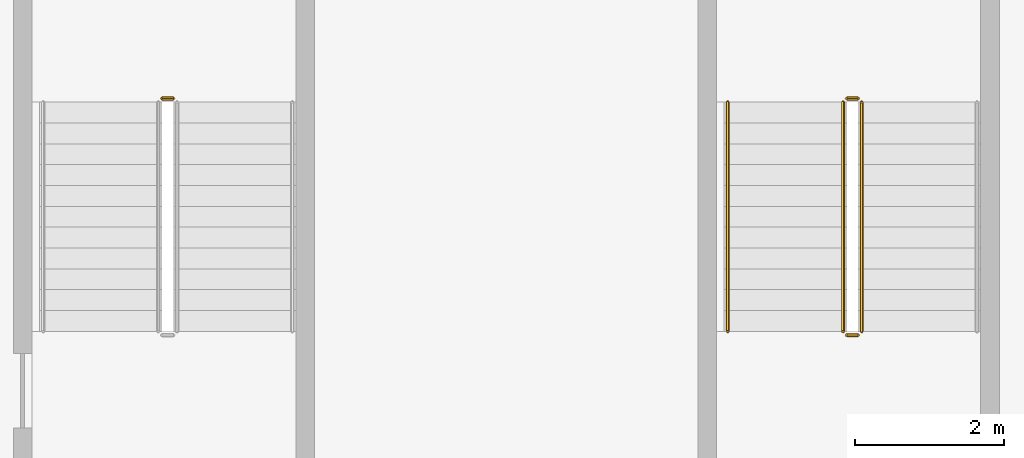
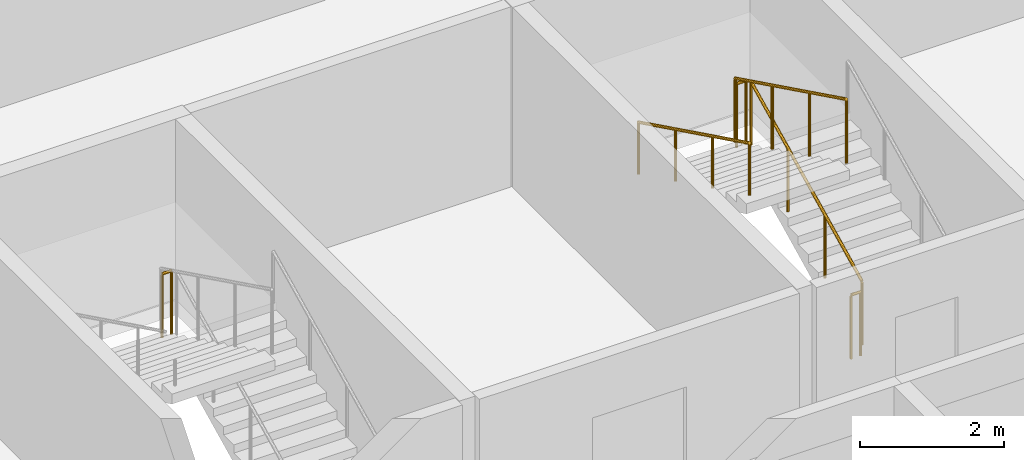
# One storey, part 9 of 16: 6 railings.
"""IFC4 building model written with IfcOpenShell, lengths in metres."""

from ifc_helpers import new_model, si_unit, direction, frame, origin, origin_2d, place, context, subcontext, project, spatial, circle, extrude, material, type_object, element, save


model = new_model("IFC4")

# Units and contexts
model_context = context("Model", 3, precision=1e-05, world=origin(), true_north=direction((0.0, 1.0)))
body_context = subcontext(model_context, "Body", "Model", "MODEL_VIEW")
ifc_project = project(units=[si_unit("LENGTHUNIT", "METRE"), si_unit("AREAUNIT", "SQUARE_METRE"), si_unit("VOLUMEUNIT", "CUBIC_METRE"), si_unit("PLANEANGLEUNIT", "RADIAN"), si_unit("MASSUNIT", "GRAM", prefix="KILO")], contexts=[model_context])

# Site, building, storey
site_placement = place(None, origin())
site = spatial("IfcSite", under=ifc_project, at=site_placement, CompositionType="ELEMENT")
building_placement = place(site_placement, origin())
building = spatial("IfcBuilding", under=site, at=building_placement, Name="Poui Terraces", CompositionType="ELEMENT")
storey_placement = place(building_placement, frame((0.0, 0.0, 282.300048828125)))
storey = spatial("IfcBuildingStorey", under=building, at=storey_placement, Name="L78 CROWN", CompositionType="ELEMENT", Elevation=282.300048828125)

# Railings
ifc_material_1 = material(Name="Galvanised steel balustrade", Category="steel")
railing_type_1 = type_object("IfcRailingType", Name="STAIR GUARD 1100", PredefinedType="GUARDRAIL", material=ifc_material_1)
railing_1_placement = place(storey_placement, frame((32.074951171875, 16.60009765625, 0.137451171875)))
element("IfcRailing", 1, at=railing_1_placement, inside=storey, type_object=railing_type_1, Name="L78 CROWN ST-CW stair guard 1", PredefinedType="GUARDRAIL", context=body_context, shape_type="SweptSolid", body=[
    extrude(circle(Radius=0.02392578125, at=origin_2d()), frame((0.0, 0.0, 1.076171875), z_axis=(0.0, 0.897606190399, 0.440798283751), x_axis=(-1.0, 0.0, 0.0)), (0.0, 0.0, 1.0), 3.43115234375),
    extrude(circle(Radius=0.02099609375, at=origin_2d()), origin(), (0.0, 0.0, 1.0), 1.052001953125),
    extrude(circle(Radius=0.02099609375, at=origin_2d()), frame((0.0, 1.026611328125, 0.504150390625)), (0.0, 0.0, 1.0), 1.052001953125),
    extrude(circle(Radius=0.02099609375, at=origin_2d()), frame((0.0, 2.05322265625, 1.00830078125)), (0.0, 0.0, 1.0), 1.052001953125),
    extrude(circle(Radius=0.02099609375, at=origin_2d()), frame((0.0, 3.079833984375, 1.512451171875)), (0.0, 0.0, 1.0), 1.052001953125),
])
railing_2_placement = place(storey_placement, frame((32.02490234375, 19.72998046875, 1.64990234375)))
element("IfcRailing", 2, at=railing_2_placement, inside=storey, type_object=railing_type_1, Name="L78 CROWN ST-CW stair guard 2", PredefinedType="GUARDRAIL", context=body_context, shape_type="SweptSolid", body=[
    extrude(circle(Radius=0.02392578125, at=origin_2d()), frame((0.0, 0.0, 1.076171875), z_axis=(-1.0, 0.0, 0.0), x_axis=(0.0, -1.0, 0.0)), (0.0, 0.0, 1.0), 0.14990234375),
    extrude(circle(Radius=0.02099609375, at=origin_2d()), origin(), (0.0, 0.0, 1.0), 1.052001953125),
    extrude(circle(Radius=0.02099609375, at=origin_2d()), frame((-0.14990234375, 0.0, 0.0)), (0.0, 0.0, 1.0), 1.052001953125),
])
railing_3_placement = place(storey_placement, frame((31.824951171875, 19.679931640625, 1.787353515625)))
element("IfcRailing", 3, at=railing_3_placement, inside=storey, type_object=railing_type_1, Name="L78 CROWN ST-CW stair guard 3", PredefinedType="GUARDRAIL", context=body_context, shape_type="SweptSolid", body=[
    extrude(circle(Radius=0.02392578125, at=origin_2d()), frame((0.0, 0.0, 1.076171875), z_axis=(0.0, -0.897578036475, 0.440855609512), x_axis=(1.0, 0.0, 0.0)), (0.0, 0.0, 1.0), 3.43115234375),
    extrude(circle(Radius=0.02099609375, at=origin_2d()), origin(), (0.0, 0.0, 1.0), 1.052001953125),
    extrude(circle(Radius=0.02099609375, at=origin_2d()), frame((0.0, -1.026611328125, 0.504150390625)), (0.0, 0.0, 1.0), 1.052001953125),
    extrude(circle(Radius=0.02099609375, at=origin_2d()), frame((0.0, -2.05322265625, 1.008544921875)), (0.0, 0.0, 1.0), 1.052001953125),
    extrude(circle(Radius=0.02099609375, at=origin_2d()), frame((0.0, -3.079833984375, 1.5126953125)), (0.0, 0.0, 1.0), 1.052001953125),
])
for number, where, name in (
    (4, (32.02490234375, 16.550048828125, 0.0), "L78 CROWN ST-CW stair guard 4"),
    (5, (22.824951171875, 19.72998046875, 1.64990234375), "L78 CROWN ST-W stair guard 2"),
):
    element("IfcRailing", number, at=place(storey_placement, frame(where)), inside=storey, type_object=railing_type_1, Name=name, PredefinedType="GUARDRAIL", context=body_context, shape_type="SweptSolid", body=[
        extrude(circle(Radius=0.02392578125, at=origin_2d()), frame((0.0, 0.0, 1.076171875), z_axis=(-1.0, 0.0, 0.0), x_axis=(0.0, -1.0, 0.0)), (0.0, 0.0, 1.0), 0.14990234375),
        extrude(circle(Radius=0.02099609375, at=origin_2d()), origin(), (0.0, 0.0, 1.0), 1.052001953125),
        extrude(circle(Radius=0.02099609375, at=origin_2d()), frame((-0.14990234375, 0.0, 0.0)), (0.0, 0.0, 1.0), 1.052001953125),
    ])
ifc_material_2 = material(Name="Stainless steel handrail", Category="steel")
railing_type_2 = type_object("IfcRailingType", Name="STAIR HANDRAIL 900", PredefinedType="HANDRAIL", material=ifc_material_2)
railing_4_placement = place(storey_placement, frame((30.27490234375, 19.679931640625, 1.787353515625)))
element("IfcRailing", 6, at=railing_4_placement, inside=storey, type_object=railing_type_2, Name="L78 CROWN ST-CW stair handrail 2", PredefinedType="HANDRAIL", context=body_context, shape_type="SweptSolid", body=[
    extrude(circle(Radius=0.02392578125, at=origin_2d()), frame((0.0, 0.0, 0.8759765625), z_axis=(0.0, -0.897578036475, 0.440855609512), x_axis=(1.0, 0.0, 0.0)), (0.0, 0.0, 1.0), 3.43115234375),
    extrude(circle(Radius=0.02099609375, at=origin_2d()), origin(), (0.0, 0.0, 1.0), 0.851806640625),
    extrude(circle(Radius=0.02099609375, at=origin_2d()), frame((0.0, -1.026611328125, 0.504150390625)), (0.0, 0.0, 1.0), 0.851806640625),
    extrude(circle(Radius=0.02099609375, at=origin_2d()), frame((0.0, -2.05322265625, 1.008544921875)), (0.0, 0.0, 1.0), 0.851806640625),
    extrude(circle(Radius=0.02099609375, at=origin_2d()), frame((0.0, -3.079833984375, 1.5126953125)), (0.0, 0.0, 1.0), 0.851806640625),
])

save(model, "model.ifc")
